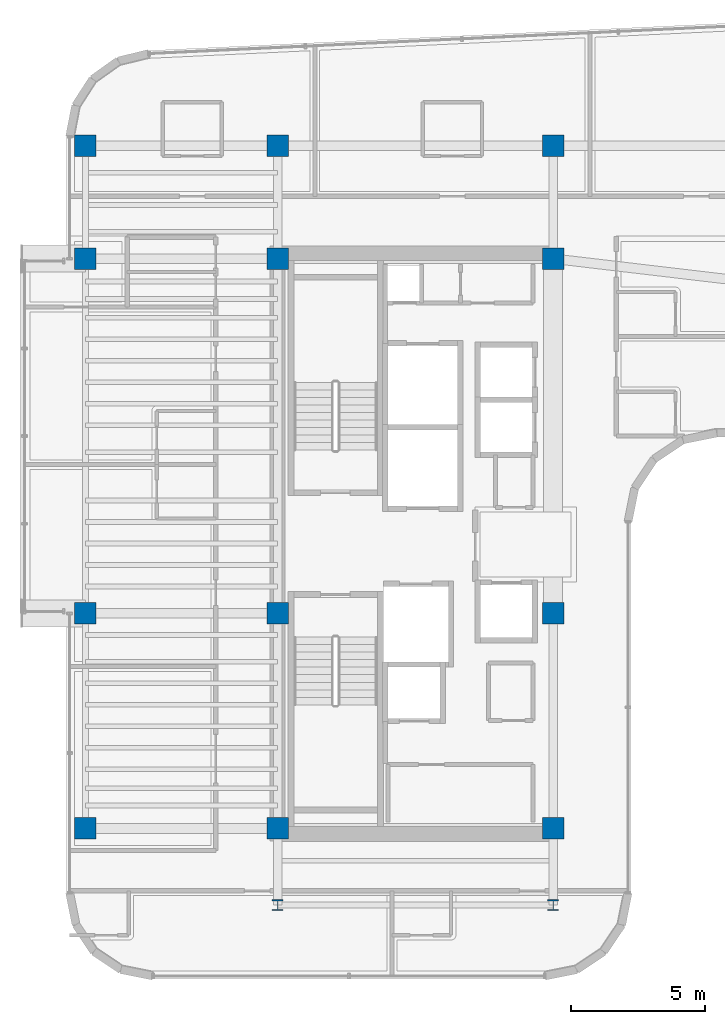
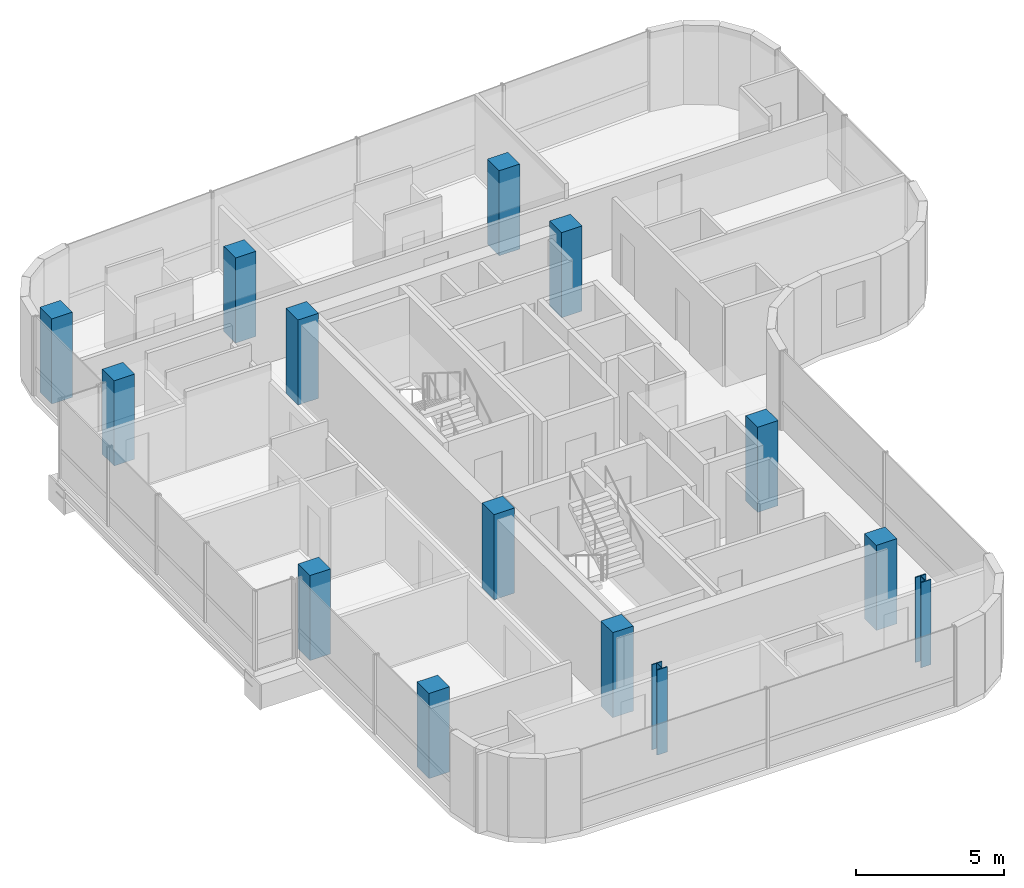
# One storey, part 1 of 20: 14 columns.
"""IFC4 building model written with IfcOpenShell, lengths in metres."""

from ifc_helpers import new_model, si_unit, direction, frame, origin, origin_2d, place, context, subcontext, project, spatial, rectangle, i_section, extrude, source, transform, mapped, material, material_profile, profile_set, type_object, element, save


model = new_model("IFC4")

# Units and contexts
model_context = context("Model", 3, precision=1e-05, world=origin(), true_north=direction((0.0, 1.0)))
body_context = subcontext(model_context, "Body", "Model", "MODEL_VIEW")
ifc_project = project(units=[si_unit("LENGTHUNIT", "METRE"), si_unit("AREAUNIT", "SQUARE_METRE"), si_unit("VOLUMEUNIT", "CUBIC_METRE"), si_unit("PLANEANGLEUNIT", "RADIAN"), si_unit("MASSUNIT", "GRAM", prefix="KILO")], contexts=[model_context])

# Site, building, storey
site_placement = place(None, origin())
site = spatial("IfcSite", under=ifc_project, at=site_placement, CompositionType="ELEMENT")
building_placement = place(site_placement, origin())
building = spatial("IfcBuilding", under=site, at=building_placement, Name="Valdorenza Pilgrim Sanctuary Tower", CompositionType="ELEMENT")
storey_placement = place(building_placement, frame((0.0, 0.0, 240.5)))
storey = spatial("IfcBuildingStorey", under=building, at=storey_placement, Name="L62", CompositionType="ELEMENT", Elevation=240.5)

# Columns
ifc_material_1 = material(Name="Concrete C50/60", Category="concrete")
ifc_material_profile_1 = material_profile(ifc_material_1, rectangle(XDim=0.800048828125, YDim=0.800048828125, at=origin_2d()), Name="RC 800x800")
ifc_profile_set_1 = profile_set([ifc_material_profile_1], Name="Concrete C50/60")
column_type_1 = type_object("IfcColumnType", Name="COL-Z4B-800", PredefinedType="COLUMN", material=ifc_profile_set_1)
shared_shape_1 = source(origin(), body_context, "Body", "SweptSolid", [
    extrude(rectangle(XDim=0.800048828125, YDim=0.800048828125, at=origin_2d()), origin(), (0.0, 0.0, 1.0), 3.5),
])
for number, where, z_axis, x_axis, name in (
    (1, (-29.800048828125, -10.60009765625, 0.0), (0.0, 0.0, 1.0), (1.0, 0.0, 0.0), "L62 Perimeter Column WA-W-S1"),
    (2, (-22.64990234375, -10.60009765625, 0.0), (0.0, 0.0, 1.0), (1.0, 0.0, 0.0), "L62 Column CA-W-S1"),
    (3, (-12.39990234375, -10.60009765625, 0.0), (0.0, 0.0, 1.0), (1.0, 0.0, 0.0), "L62 Column CA-E-S1"),
    (4, (-29.800048828125, -2.60009765625, 0.0), (0.0, 0.0, 1.0), (1.0, 0.0, 0.0), "L62 Perimeter Column WA-W-M0"),
    (5, (-22.64990234375, -2.60009765625, 0.0), (0.0, 0.0, 1.0), (1.0, 0.0, 0.0), "L62 Column CA-W-M0"),
    (6, (-12.39990234375, -2.60009765625, 0.0), (0.0, 0.0, 1.0), (1.0, 0.0, 0.0), "L62 Column CA-E-M0"),
    (7, (-29.800048828125, 10.60009765625, 0.0), (0.0, 0.0, 1.0), (1.0, 0.0, 0.0), "L62 Perimeter Column WA-W-N1"),
    (8, (-22.64990234375, 10.60009765625, 0.0), (0.0, 0.0, 1.0), (1.0, 0.0, 0.0), "L62 Column CA-W-N1"),
    (9, (-12.39990234375, 10.60009765625, 0.0), (0.0, 0.0, 1.0), (1.0, 0.0, 0.0), "L62 Column CA-E-N1"),
    (10, (-29.800048828125, 14.800048828125, 0.0), (0.0, 0.0, 1.0), (1.0, 0.0, 0.0), "L62 Perimeter Column WA-W-N2"),
    (11, (-22.64990234375, 14.800048828125, 0.0), (0.0, 0.0, 1.0), (1.0, 0.0, 0.0), "L62 Column CA-W-N2"),
    (12, (-12.39990234375, 14.800048828125, 0.0), (0.0, 0.0, 1.0), (1.0, 0.0, 0.0), "L62 Column CA-E-N2"),
):
    element("IfcColumn", number, at=place(storey_placement, frame(where, z_axis=z_axis, x_axis=x_axis)), inside=storey, type_object=column_type_1, Name=name, PredefinedType="COLUMN", context=body_context, shape_type="MappedRepresentation", body=[
        mapped(shared_shape_1, transform((0.0, 0.0, 0.0), x_axis=(1.0, 0.0, 0.0), y_axis=(0.0, 1.0, 0.0), z_axis=(0.0, 0.0, 1.0), scale=1.0)),
    ])
ifc_material_2 = material(Name="Steel ASTM A992 Grade 50", Category="steel")
ifc_material_profile_2 = material_profile(ifc_material_2, i_section(OverallWidth=0.40087890625, OverallDepth=0.39892578125, WebThickness=0.02490234375, FlangeThickness=0.03955078125, at=origin_2d()), Name="W14X211")
ifc_profile_set_2 = profile_set([ifc_material_profile_2], Name="Steel ASTM A992 Grade 50")
column_type_2 = type_object("IfcColumnType", Name="COL-STL-W211", PredefinedType="COLUMN", material=ifc_profile_set_2)
shared_shape_2 = source(origin(), body_context, "Body", "SweptSolid", [
    extrude(i_section(OverallWidth=0.40087890625, OverallDepth=0.39892578125, WebThickness=0.02490234375, FlangeThickness=0.03955078125, at=origin_2d()), origin(), (0.0, 0.0, 1.0), 3.5),
])
for number, where, z_axis, x_axis, name in (
    (13, (-22.64990234375, -13.449951171875, 0.0), (0.0, 0.0, 1.0), (1.0, 0.0, 0.0), "L62 Column WA-S-W"),
    (14, (-12.39990234375, -13.449951171875, 0.0), (0.0, 0.0, 1.0), (1.0, 0.0, 0.0), "L62 Column WA-S-E"),
):
    element("IfcColumn", number, at=place(storey_placement, frame(where, z_axis=z_axis, x_axis=x_axis)), inside=storey, type_object=column_type_2, Name=name, PredefinedType="COLUMN", context=body_context, shape_type="MappedRepresentation", body=[
        mapped(shared_shape_2, transform((0.0, 0.0, 0.0), x_axis=(1.0, 0.0, 0.0), y_axis=(0.0, 1.0, 0.0), z_axis=(0.0, 0.0, 1.0), scale=1.0)),
    ])

save(model, "model.ifc")
